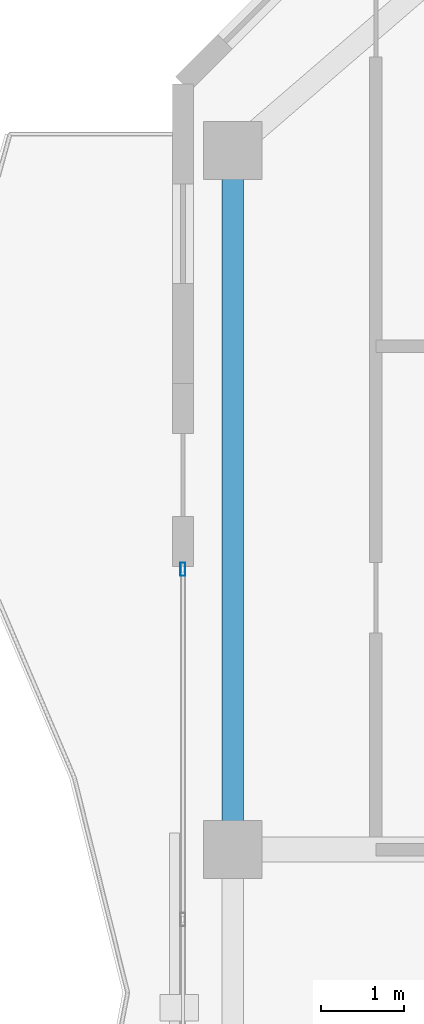
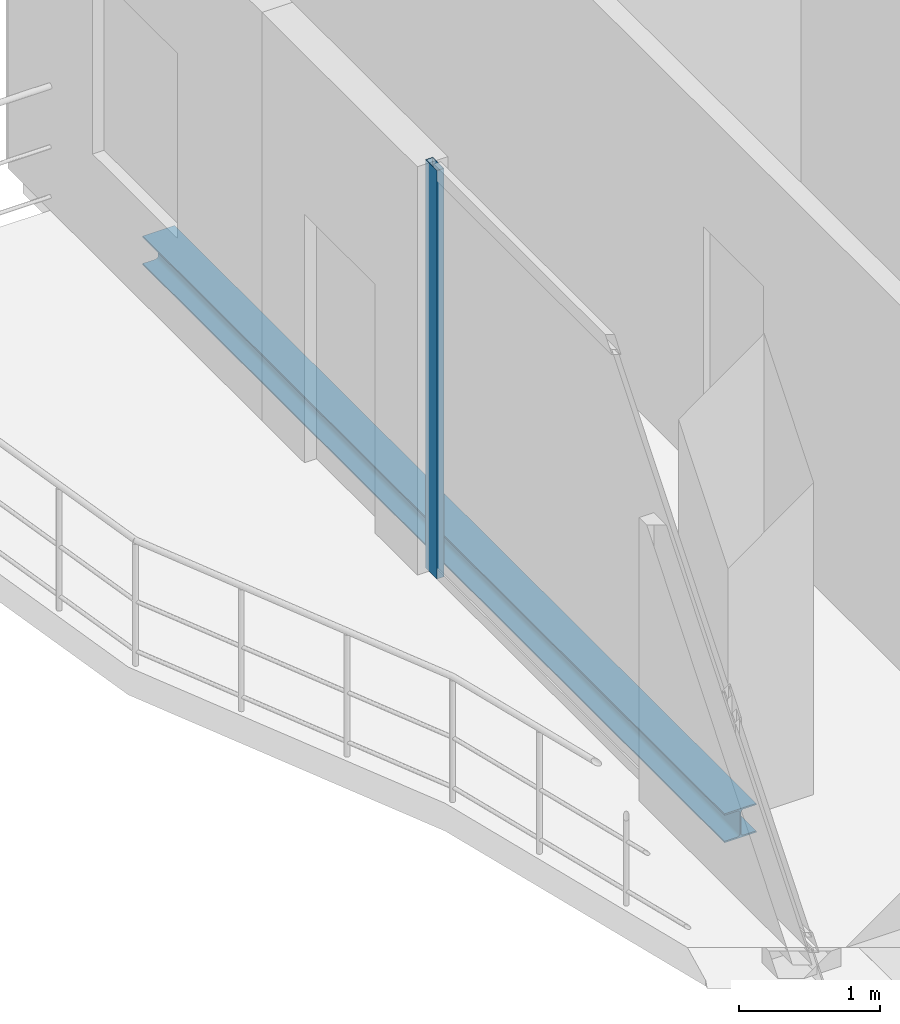
# One storey, part 12 of 23: 1 beam, 1 member, 1 element without a shape of its own.
"""IFC4 building model written with IfcOpenShell, lengths in metres."""

from ifc_helpers import new_model, si_unit, direction, frame, origin, origin_2d, place, context, subcontext, project, spatial, hollow_rectangle, i_section, extrude, material, layer, layer_set, material_profile, profile_set, type_object, element, aggregate, save


model = new_model("IFC4")

# Units and contexts
model_context = context("Model", 3, precision=1e-05, world=origin(), true_north=direction((0.0, 1.0)))
body_context = subcontext(model_context, "Body", "Model", "MODEL_VIEW")
ifc_project = project(units=[si_unit("LENGTHUNIT", "METRE"), si_unit("AREAUNIT", "SQUARE_METRE"), si_unit("VOLUMEUNIT", "CUBIC_METRE"), si_unit("PLANEANGLEUNIT", "RADIAN"), si_unit("MASSUNIT", "GRAM", prefix="KILO")], contexts=[model_context])

# Site, building, storey
site_placement = place(None, origin())
site = spatial("IfcSite", under=ifc_project, at=site_placement, CompositionType="ELEMENT")
building_placement = place(site_placement, origin())
building = spatial("IfcBuilding", under=site, at=building_placement, Name="Catumbela Crestline Tower", CompositionType="ELEMENT")
storey_placement = place(building_placement, frame((0.0, 0.0, 248.8)))
storey = spatial("IfcBuildingStorey", under=building, at=storey_placement, Name="L64", CompositionType="ELEMENT", Elevation=248.8)

# Curtain wall, member
ifc_material_1 = material(Name="Aluminium alloy AW-6060-T66", Category="aluminium")
ifc_layer = layer(ifc_material_1, 0.18, Name="Aluminium alloy AW-6060-T66")
ifc_layer_set = layer_set([ifc_layer], Name="Aluminium alloy AW-6060-T66")
curtain_wall_type = type_object("IfcCurtainWallType", Name="CWU-Z4", PredefinedType="USERDEFINED", material=ifc_layer_set)
curtain_wall_placement = place(storey_placement, origin())
curtain_wall = element("IfcCurtainWall", 1, at=curtain_wall_placement, inside=storey, type_object=curtain_wall_type, Name="L64 Unitised Curtain Wall CW-L64-E9S2", ObjectType="UNITISED", PredefinedType="USERDEFINED")
ifc_material_profile_1 = material_profile(ifc_material_1, hollow_rectangle(XDim=0.06, YDim=0.16, WallThickness=0.004, at=origin_2d()), Name="ALU 160x60x4")
ifc_profile_set_1 = profile_set([ifc_material_profile_1], Name="Aluminium alloy AW-6060-T66")
member_type = type_object("IfcMemberType", Name="MUL-160X60", PredefinedType="MULLION", material=ifc_profile_set_1)
member_placement = place(storey_placement, frame((5.0, 34.1675, 0.0), z_axis=(0.0, 0.0, 1.0), x_axis=(1.0, 0.0, 0.0)))
member = element("IfcMember", 2, at=member_placement, type_object=member_type, Name="CWU-Z4 mullion 1", PredefinedType="MULLION", context=body_context, shape_type="SweptSolid", body=[
    extrude(hollow_rectangle(XDim=0.06, YDim=0.16, WallThickness=0.004, at=origin_2d()), origin(), (0.0, 0.0, 1.0), 3.53),
])
aggregate(curtain_wall, [member])

# Beam
ifc_material_2 = material(Name="Structural steel S355J2", Category="steel")
ifc_material_profile_2 = material_profile(ifc_material_2, i_section(OverallWidth=0.26, OverallDepth=0.25, WebThickness=0.0075, FlangeThickness=0.0125, FilletRadius=0.024, at=origin_2d()), Name="HEA 260")
ifc_profile_set_2 = profile_set([ifc_material_profile_2], Name="Structural steel S355J2")
beam_type = type_object("IfcBeamType", Name="BS-HEA260", PredefinedType="SPANDREL", material=ifc_profile_set_2)
beam_placement = place(storey_placement, frame((5.6, 30.88, -0.385), z_axis=(0.0, 1.0, 0.0), x_axis=(-1.0, 0.0, 0.0)))
element("IfcBeam", 3, at=beam_placement, inside=storey, type_object=beam_type, Name="L64 Spandrel SP-L64-SN13", PredefinedType="SPANDREL", context=body_context, shape_type="SweptSolid", body=[
    extrude(i_section(OverallWidth=0.26, OverallDepth=0.25, WebThickness=0.0075, FlangeThickness=0.0125, FilletRadius=0.024, at=origin_2d()), origin(), (0.0, 0.0, 1.0), 8.24),
])

save(model, "model.ifc")
